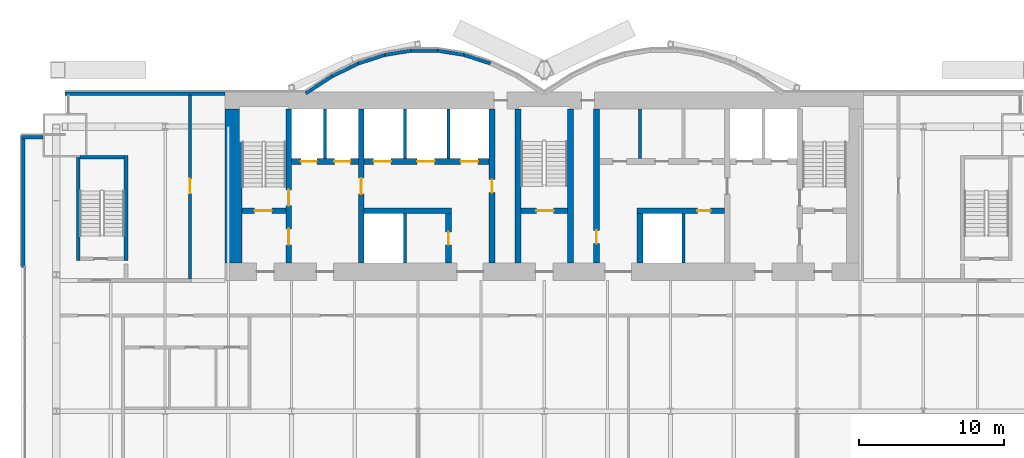
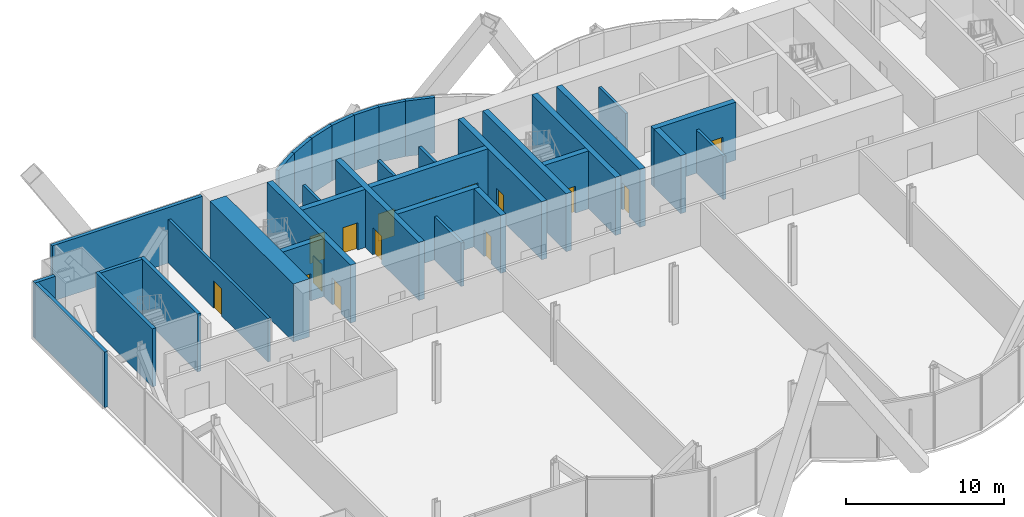
# One storey, part 16 of 21: 34 walls, 15 doors, 15 openings.
"""IFC4 building model written with IfcOpenShell, lengths in metres."""

from ifc_helpers import new_model, si_unit, direction, frame, frame_2d, origin, place, context, subcontext, project, spatial, rectangle, extrude, material, layer, layer_set, layer_usage, type_object, element, fill, save


model = new_model("IFC4")

# Units and contexts
model_context = context("Model", 3, precision=1e-05, world=origin(), true_north=direction((0.0, 1.0)))
body_context = subcontext(model_context, "Body", "Model", "MODEL_VIEW")
ifc_project = project(units=[si_unit("LENGTHUNIT", "METRE"), si_unit("AREAUNIT", "SQUARE_METRE"), si_unit("VOLUMEUNIT", "CUBIC_METRE"), si_unit("PLANEANGLEUNIT", "RADIAN"), si_unit("MASSUNIT", "GRAM", prefix="KILO")], contexts=[model_context])

# Site, building, storey
site_placement = place(None, origin())
site = spatial("IfcSite", under=ifc_project, at=site_placement, CompositionType="ELEMENT")
building_placement = place(site_placement, origin())
building = spatial("IfcBuilding", under=site, at=building_placement, Name="Bicima Exchange Tower", CompositionType="ELEMENT")
storey_placement = place(building_placement, frame((0.0, 0.0, 80.0)))
storey = spatial("IfcBuildingStorey", under=building, at=storey_placement, Name="L16", CompositionType="ELEMENT", Elevation=80.0)

# Walls
ifc_material_1 = material(Name="Gypsum board partition")
ifc_layer_1 = layer(ifc_material_1, 0.199951171875)
ifc_layer_set_1 = layer_set([ifc_layer_1], Name="Gypsum board partition")
wall_type_1 = type_object("IfcWallType", Name="Fire-rated gypsum partition 200 EI120", PredefinedType="PARTITIONING", material=ifc_layer_set_1)
for number, where, z_axis, x_axis, name in (
    (1, (-15.10009765625, -4.60009765625, 0.0), (0.0, 0.0, 1.0), (0.0, 1.0, 0.0), "partition wall 9"),
    (2, (-9.60009765625, -11.800048828125, 0.0), (0.0, 0.0, 1.0), (0.0, 1.0, 0.0), "partition wall 11"),
    (3, (-9.60009765625, -4.60009765625, 0.0), (0.0, 0.0, 1.0), (0.0, 1.0, 0.0), "partition wall 12"),
    (4, (-6.60009765625, -4.60009765625, 0.0), (0.0, 0.0, 1.0), (0.0, 1.0, 0.0), "partition wall 14"),
    (5, (9.60009765625, -11.800048828125, 0.0), (0.0, 0.0, 1.0), (0.0, 1.0, 0.0), "partition wall 21"),
):
    element("IfcWall", number, at=place(storey_placement, frame(where, z_axis=z_axis, x_axis=x_axis)), inside=storey, type_object=wall_type_1, Name=name, PredefinedType="PARTITIONING", context=body_context, shape_type="SweptSolid", body=[
        extrude(rectangle(XDim=3.400146484375, YDim=0.199951171875, at=frame_2d((1.7001953125, 0.0))), origin(), (0.0, 0.0, 1.0), 3.3681640625),
    ])

# Wall, opening, door
ifc_layer_2 = layer(ifc_material_1, 0.199951171875)
ifc_layer_set_2 = layer_set([ifc_layer_2], Name="Gypsum board partition")
wall_type_2 = type_object("IfcWallType", Name="Fire-rated gypsum partition 200 EI60", PredefinedType="PARTITIONING", material=ifc_layer_set_2)
wall_1_placement = place(storey_placement, frame((-24.39990234375, -12.89990234375, 0.0), z_axis=(0.0, 0.0, 1.0), x_axis=(0.0, 1.0, 0.0)))
wall_1 = element("IfcWall", 6, at=wall_1_placement, inside=storey, type_object=wall_type_2, Name="partition wall 16", PredefinedType="PARTITIONING", context=body_context, shape_type="SweptSolid", body=[
    extrude(rectangle(XDim=12.68994140625, YDim=0.199951171875, at=frame_2d((6.344970703125, 0.0))), origin(), (0.0, 0.0, 1.0), 3.3681640625),
])
opening_1_placement = place(wall_1_placement, frame((5.89990234375, 0.0, 0.0)))
opening_1 = element("IfcOpeningElement", 7, at=opening_1_placement, cuts=wall_1, Name="Opening L16-005", PredefinedType="OPENING", context=body_context, shape_type="SweptSolid", body=[
    extrude(rectangle(XDim=1.0, YDim=2.10009765625, at=frame_2d((0.5, 1.050048828125))), frame((0.0, 0.11181640625, 0.0), z_axis=(0.0, -1.0, 0.0), x_axis=(1.0, 0.0, 0.0)), (0.0, 0.0, 1.0), 0.223876953125),
])
ifc_material_2 = material(Name="Steel fire door leaf", Category="steel")
door_type_1 = type_object("IfcDoorType", Name="Door 1000 swing FD30S", OperationType="SINGLE_SWING_LEFT", PredefinedType="DOOR", material=ifc_material_2)
door_1_placement = place(opening_1_placement, origin())
door_1 = element("IfcDoor", 8, at=door_1_placement, inside=storey, type_object=door_type_1, Name="Door", OperationType="SINGLE_SWING_LEFT", OverallHeight=2.10009765625, OverallWidth=1.0, PredefinedType="DOOR", context=body_context, shape_type="SweptSolid", body=[
    extrude(rectangle(XDim=1.0, YDim=2.10009765625, at=frame_2d((0.5, 1.050048828125))), frame((0.0, 0.02490234375, 0.0), z_axis=(0.0, -1.0, 0.0), x_axis=(1.0, 0.0, 0.0)), (0.0, 0.0, 1.0), 0.050048828125),
])
fill(opening_1, door_1)

# Walls
wall_2_placement = place(storey_placement, frame((6.60009765625, -4.60009765625, 0.0), z_axis=(0.0, 0.0, 1.0), x_axis=(0.0, 1.0, 0.0)))
element("IfcWall", 9, at=wall_2_placement, inside=storey, type_object=wall_type_2, Name="partition wall 20", PredefinedType="PARTITIONING", context=body_context, shape_type="SweptSolid", body=[
    extrude(rectangle(XDim=3.400146484375, YDim=0.199951171875, at=frame_2d((1.7001953125, 0.0))), origin(), (0.0, 0.0, 1.0), 3.3681640625),
])
ifc_material_3 = material(Name="Concrete C60/75", Category="concrete")
ifc_layer_3 = layer(ifc_material_3, 1.199951171875)
ifc_layer_set_3 = layer_set([ifc_layer_3], Name="Concrete C60/75")
wall_type_3 = type_object("IfcWallType", Name="RC core wall 1200 C60/75", PredefinedType="SHEAR", material=ifc_layer_set_3)
wall_3_placement = place(storey_placement, frame((-21.39990234375, -11.800048828125, 0.0), z_axis=(0.0, 0.0, 1.0), x_axis=(0.0, 1.0, 0.0)))
element("IfcWall", 10, at=wall_3_placement, inside=storey, type_object=wall_type_3, Name="Core wall west", PredefinedType="SHEAR", context=body_context, shape_type="SweptSolid", body=[
    extrude(rectangle(XDim=10.60009765625, YDim=1.199951171875, at=frame_2d((5.300048828125, 0.0))), origin(), (0.0, 0.0, 1.0), 4.5),
])

# Wall, opening, door
ifc_material_4 = material(Name="Concrete C50/60", Category="concrete")
ifc_layer_4 = layer(ifc_material_4, 0.39990234375)
ifc_layer_set_4 = layer_set([ifc_layer_4], Name="Concrete C50/60")
wall_type_4 = type_object("IfcWallType", Name="RC core wall 400 C50/60", PredefinedType="SHEAR", material=ifc_layer_set_4)
wall_4_placement = place(storey_placement, frame((-20.800048828125, -8.199951171875, 0.0), z_axis=(0.0, 0.0, 1.0), x_axis=(1.0, 0.0, 0.0)))
wall_4 = element("IfcWall", 11, at=wall_4_placement, inside=storey, type_object=wall_type_4, Name="stair wall 1", PredefinedType="SHEAR", context=body_context, shape_type="SweptSolid", body=[
    extrude(rectangle(XDim=3.0, YDim=0.39990234375, at=frame_2d((1.5, 0.0))), origin(), (0.0, 0.0, 1.0), 4.5),
])
opening_2_placement = place(wall_4_placement, frame((0.85009765625, 0.0, 0.0)))
opening_2 = element("IfcOpeningElement", 12, at=opening_2_placement, cuts=wall_4, Name="Opening L16-C01", PredefinedType="OPENING", context=body_context, shape_type="SweptSolid", body=[
    extrude(rectangle(XDim=1.199951171875, YDim=2.10009765625, at=frame_2d((0.60009765625, 1.050048828125))), frame((0.0, 0.2119140625, 0.0), z_axis=(0.0, -1.0, 0.0), x_axis=(1.0, 0.0, 0.0)), (0.0, 0.0, 1.0), 0.423828125),
])
door_type_2 = type_object("IfcDoorType", Name="Door 1200 swing FD60S", OperationType="SINGLE_SWING_LEFT", PredefinedType="DOOR", material=ifc_material_2)
door_2_placement = place(opening_2_placement, origin())
door_2 = element("IfcDoor", 13, at=door_2_placement, inside=storey, type_object=door_type_2, Name="Core door", OperationType="SINGLE_SWING_LEFT", OverallHeight=2.10009765625, OverallWidth=1.199951171875, PredefinedType="DOOR", context=body_context, shape_type="SweptSolid", body=[
    extrude(rectangle(XDim=1.199951171875, YDim=2.10009765625, at=frame_2d((0.60009765625, 1.050048828125))), frame((0.0, 0.02490234375, 0.0), z_axis=(0.0, -1.0, 0.0), x_axis=(1.0, 0.0, 0.0)), (0.0, 0.0, 1.0), 0.050048828125),
])
fill(opening_2, door_2)

wall_5_placement = place(storey_placement, frame((-1.60009765625, -8.199951171875, 0.0), z_axis=(0.0, 0.0, 1.0), x_axis=(1.0, 0.0, 0.0)))
wall_5 = element("IfcWall", 14, at=wall_5_placement, inside=storey, type_object=wall_type_4, Name="stair wall 3", PredefinedType="SHEAR", context=body_context, shape_type="SweptSolid", body=[
    extrude(rectangle(XDim=3.2001953125, YDim=0.39990234375, at=frame_2d((1.60009765625, 0.0))), origin(), (0.0, 0.0, 1.0), 4.5),
])
opening_3_placement = place(wall_5_placement, frame((1.050048828125, 0.0, 0.0)))
opening_3 = element("IfcOpeningElement", 15, at=opening_3_placement, cuts=wall_5, Name="Opening L16-C03", PredefinedType="OPENING", context=body_context, shape_type="SweptSolid", body=[
    extrude(rectangle(XDim=1.199951171875, YDim=2.10009765625, at=frame_2d((0.60009765625, 1.050048828125))), frame((0.0, 0.2119140625, 0.0), z_axis=(0.0, -1.0, 0.0), x_axis=(1.0, 0.0, 0.0)), (0.0, 0.0, 1.0), 0.423828125),
])
door_3_placement = place(opening_3_placement, origin())
door_3 = element("IfcDoor", 16, at=door_3_placement, inside=storey, type_object=door_type_2, Name="Core door", OperationType="SINGLE_SWING_LEFT", OverallHeight=2.10009765625, OverallWidth=1.199951171875, PredefinedType="DOOR", context=body_context, shape_type="SweptSolid", body=[
    extrude(rectangle(XDim=1.199951171875, YDim=2.10009765625, at=frame_2d((0.60009765625, 1.050048828125))), frame((0.0, 0.02490234375, 0.0), z_axis=(0.0, -1.0, 0.0), x_axis=(1.0, 0.0, 0.0)), (0.0, 0.0, 1.0), 0.050048828125),
])
fill(opening_3, door_3)

# Wall, openings, doors
wall_6_placement = place(storey_placement, frame((-17.60009765625, -11.800048828125, 0.0), z_axis=(0.0, 0.0, 1.0), x_axis=(0.0, 1.0, 0.0)))
wall_6 = element("IfcWall", 17, at=wall_6_placement, inside=storey, type_object=wall_type_4, Name="stair wall 8", PredefinedType="SHEAR", context=body_context, shape_type="SweptSolid", body=[
    extrude(rectangle(XDim=10.60009765625, YDim=0.39990234375, at=frame_2d((5.300048828125, 0.0))), origin(), (0.0, 0.0, 1.0), 4.5),
])
opening_4_placement = place(wall_6_placement, frame((1.25, 0.0, 0.0)))
opening_4 = element("IfcOpeningElement", 18, at=opening_4_placement, cuts=wall_6, Name="Opening L16-C02", PredefinedType="OPENING", context=body_context, shape_type="SweptSolid", body=[
    extrude(rectangle(XDim=1.10009765625, YDim=2.10009765625, at=frame_2d((0.550048828125, 1.050048828125))), frame((0.0, 0.2119140625, 0.0), z_axis=(0.0, -1.0, 0.0), x_axis=(1.0, 0.0, 0.0)), (0.0, 0.0, 1.0), 0.423828125),
])
opening_5_placement = place(wall_6_placement, frame((3.949951171875, 0.0, 0.0)))
opening_5 = element("IfcOpeningElement", 19, at=opening_5_placement, cuts=wall_6, Name="Opening L16-C06", PredefinedType="OPENING", context=body_context, shape_type="SweptSolid", body=[
    extrude(rectangle(XDim=1.10009765625, YDim=2.10009765625, at=frame_2d((0.550048828125, 1.050048828125))), frame((0.0, 0.2119140625, 0.0), z_axis=(0.0, -1.0, 0.0), x_axis=(1.0, 0.0, 0.0)), (0.0, 0.0, 1.0), 0.423828125),
])
door_type_3 = type_object("IfcDoorType", Name="Door 1100 swing FD60S", OperationType="SINGLE_SWING_LEFT", PredefinedType="DOOR", material=ifc_material_2)
door_4_placement = place(opening_4_placement, frame((1.10009765625, 0.0, 0.0), z_axis=(0.0, 0.0, 1.0), x_axis=(-1.0, 0.0, 0.0)))
door_4 = element("IfcDoor", 20, at=door_4_placement, inside=storey, type_object=door_type_3, Name="Core door", OperationType="SINGLE_SWING_LEFT", OverallHeight=2.10009765625, OverallWidth=1.10009765625, PredefinedType="DOOR", context=body_context, shape_type="SweptSolid", body=[
    extrude(rectangle(XDim=1.10009765625, YDim=2.10009765625, at=frame_2d((0.550048828125, 1.050048828125))), frame((0.0, 0.02490234375, 0.0), z_axis=(0.0, -1.0, 0.0), x_axis=(1.0, 0.0, 0.0)), (0.0, 0.0, 1.0), 0.050048828125),
])
fill(opening_4, door_4)
door_5_placement = place(opening_5_placement, frame((1.10009765625, 0.0, 0.0), z_axis=(0.0, 0.0, 1.0), x_axis=(-1.0, 0.0, 0.0)))
door_5 = element("IfcDoor", 21, at=door_5_placement, inside=storey, type_object=door_type_3, Name="Core door", OperationType="SINGLE_SWING_LEFT", OverallHeight=2.10009765625, OverallWidth=1.10009765625, PredefinedType="DOOR", context=body_context, shape_type="SweptSolid", body=[
    extrude(rectangle(XDim=1.10009765625, YDim=2.10009765625, at=frame_2d((0.550048828125, 1.050048828125))), frame((0.0, 0.02490234375, 0.0), z_axis=(0.0, -1.0, 0.0), x_axis=(1.0, 0.0, 0.0)), (0.0, 0.0, 1.0), 0.050048828125),
])
fill(opening_5, door_5)

# Walls
for number, where, z_axis, x_axis, name in (
    (22, (-1.800048828125, -11.800048828125, 0.0), (0.0, 0.0, 1.0), (0.0, 1.0, 0.0), "stair wall 16"),
    (23, (1.800048828125, -11.800048828125, 0.0), (0.0, 0.0, 1.0), (0.0, 1.0, 0.0), "stair wall 17"),
):
    element("IfcWall", number, at=place(storey_placement, frame(where, z_axis=z_axis, x_axis=x_axis)), inside=storey, type_object=wall_type_4, Name=name, PredefinedType="SHEAR", context=body_context, shape_type="SweptSolid", body=[
        extrude(rectangle(XDim=10.60009765625, YDim=0.39990234375, at=frame_2d((5.300048828125, 0.0))), origin(), (0.0, 0.0, 1.0), 4.5),
    ])
ifc_layer_5 = layer(ifc_material_3, 0.39990234375)
ifc_layer_set_5 = layer_set([ifc_layer_5], Name="Concrete C60/75")
wall_type_5 = type_object("IfcWallType", Name="RC core wall 400 C60/75", PredefinedType="SHEAR", material=ifc_layer_set_5)
wall_7_placement = place(storey_placement, frame((-12.39990234375, -8.199951171875, 0.0), z_axis=(0.0, 0.0, 1.0), x_axis=(1.0, 0.0, 0.0)))
element("IfcWall", 24, at=wall_7_placement, inside=storey, type_object=wall_type_5, Name="shear wall 2", PredefinedType="SHEAR", context=body_context, shape_type="SweptSolid", body=[
    extrude(rectangle(XDim=6.0, YDim=0.39990234375, at=frame_2d((3.0, 0.0))), origin(), (0.0, 0.0, 1.0), 4.5),
])

# Wall, opening, door
wall_8_placement = place(storey_placement, frame((6.39990234375, -8.199951171875, 0.0), z_axis=(0.0, 0.0, 1.0), x_axis=(1.0, 0.0, 0.0)))
wall_8 = element("IfcWall", 25, at=wall_8_placement, inside=storey, type_object=wall_type_5, Name="shear wall 4", PredefinedType="SHEAR", context=body_context, shape_type="SweptSolid", body=[
    extrude(rectangle(XDim=6.0, YDim=0.39990234375, at=frame_2d((3.0, 0.0))), origin(), (0.0, 0.0, 1.0), 4.5),
])
opening_6_placement = place(wall_8_placement, frame((4.14990234375, 0.0, 0.0)))
opening_6 = element("IfcOpeningElement", 26, at=opening_6_placement, cuts=wall_8, Name="Opening L16-C16", PredefinedType="OPENING", context=body_context, shape_type="SweptSolid", body=[
    extrude(rectangle(XDim=0.89990234375, YDim=2.10009765625, at=frame_2d((0.449951171875, 1.050048828125))), frame((0.0, 0.2119140625, 0.0), z_axis=(0.0, -1.0, 0.0), x_axis=(1.0, 0.0, 0.0)), (0.0, 0.0, 1.0), 0.423828125),
])
door_type_4 = type_object("IfcDoorType", Name="Door 900 swing FD30S", OperationType="SINGLE_SWING_LEFT", PredefinedType="DOOR", material=ifc_material_2)
door_6_placement = place(opening_6_placement, frame((0.89990234375, 0.0, 0.0), z_axis=(0.0, 0.0, 1.0), x_axis=(-1.0, 0.0, 0.0)))
door_6 = element("IfcDoor", 27, at=door_6_placement, inside=storey, type_object=door_type_4, Name="Core door", OperationType="SINGLE_SWING_LEFT", OverallHeight=2.10009765625, OverallWidth=0.89990234375, PredefinedType="DOOR", context=body_context, shape_type="SweptSolid", body=[
    extrude(rectangle(XDim=0.89990234375, YDim=2.10009765625, at=frame_2d((0.449951171875, 1.050048828125))), frame((0.0, 0.02490234375, 0.0), z_axis=(0.0, -1.0, 0.0), x_axis=(1.0, 0.0, 0.0)), (0.0, 0.0, 1.0), 0.050048828125),
])
fill(opening_6, door_6)

# Wall, openings, doors
wall_9_placement = place(storey_placement, frame((-17.39990234375, -4.800048828125, 0.0), z_axis=(0.0, 0.0, 1.0), x_axis=(1.0, 0.0, 0.0)))
wall_9 = element("IfcWall", 28, at=wall_9_placement, inside=storey, type_object=wall_type_5, Name="shear wall 6", PredefinedType="SHEAR", context=body_context, shape_type="SweptSolid", body=[
    extrude(rectangle(XDim=13.599853515625, YDim=0.39990234375, at=frame_2d((6.7998046875, 0.0))), origin(), (0.0, 0.0, 1.0), 4.5),
])
opening_7_placement = place(wall_9_placement, frame((0.64990234375, 0.0, 0.0)))
opening_7 = element("IfcOpeningElement", 29, at=opening_7_placement, cuts=wall_9, Name="Opening LD-FF1-L16", PredefinedType="OPENING", context=body_context, shape_type="SweptSolid", body=[
    extrude(rectangle(XDim=1.10009765625, YDim=2.10009765625, at=frame_2d((0.550048828125, 1.050048828125))), frame((0.0, 0.2119140625, 0.0), z_axis=(0.0, -1.0, 0.0), x_axis=(1.0, 0.0, 0.0)), (0.0, 0.0, 1.0), 0.423828125),
])
opening_8_placement = place(wall_9_placement, frame((2.949951171875, 0.0, 0.0)))
opening_8 = element("IfcOpeningElement", 30, at=opening_8_placement, cuts=wall_9, Name="Opening LD-FF3-L16", PredefinedType="OPENING", context=body_context, shape_type="SweptSolid", body=[
    extrude(rectangle(XDim=1.10009765625, YDim=2.10009765625, at=frame_2d((0.550048828125, 1.050048828125))), frame((0.0, 0.2119140625, 0.0), z_axis=(0.0, -1.0, 0.0), x_axis=(1.0, 0.0, 0.0)), (0.0, 0.0, 1.0), 0.423828125),
])
opening_9_placement = place(wall_9_placement, frame((5.64990234375, 0.0, 0.0)))
opening_9 = element("IfcOpeningElement", 31, at=opening_9_placement, cuts=wall_9, Name="Opening LD-LB1-L16", PredefinedType="OPENING", context=body_context, shape_type="SweptSolid", body=[
    extrude(rectangle(XDim=1.199951171875, YDim=2.10009765625, at=frame_2d((0.60009765625, 1.050048828125))), frame((0.0, 0.2119140625, 0.0), z_axis=(0.0, -1.0, 0.0), x_axis=(1.0, 0.0, 0.0)), (0.0, 0.0, 1.0), 0.423828125),
])
opening_10_placement = place(wall_9_placement, frame((8.64990234375, 0.0, 0.0)))
opening_10 = element("IfcOpeningElement", 32, at=opening_10_placement, cuts=wall_9, Name="Opening LD-LB2-L16", PredefinedType="OPENING", context=body_context, shape_type="SweptSolid", body=[
    extrude(rectangle(XDim=1.199951171875, YDim=2.10009765625, at=frame_2d((0.60009765625, 1.050048828125))), frame((0.0, 0.2119140625, 0.0), z_axis=(0.0, -1.0, 0.0), x_axis=(1.0, 0.0, 0.0)), (0.0, 0.0, 1.0), 0.423828125),
])
opening_11_placement = place(wall_9_placement, frame((11.64990234375, 0.0, 0.0)))
opening_11 = element("IfcOpeningElement", 33, at=opening_11_placement, cuts=wall_9, Name="Opening LD-LB3-L16", PredefinedType="OPENING", context=body_context, shape_type="SweptSolid", body=[
    extrude(rectangle(XDim=1.199951171875, YDim=2.10009765625, at=frame_2d((0.60009765625, 1.050048828125))), frame((0.0, 0.2119140625, 0.0), z_axis=(0.0, -1.0, 0.0), x_axis=(1.0, 0.0, 0.0)), (0.0, 0.0, 1.0), 0.423828125),
])
ifc_material_5 = material(Name="Stainless steel", Category="steel")
door_type_5 = type_object("IfcDoorType", Name="Lift landing door 1100 sliding", OperationType="DOUBLE_DOOR_SLIDING", PredefinedType="DOOR", material=ifc_material_5)
door_7_placement = place(opening_7_placement, origin())
door_7 = element("IfcDoor", 34, at=door_7_placement, inside=storey, type_object=door_type_5, Name="Lift landing door FF1", OperationType="DOUBLE_DOOR_SLIDING", OverallHeight=2.10009765625, OverallWidth=1.10009765625, PredefinedType="DOOR", context=body_context, shape_type="SweptSolid", body=[
    extrude(rectangle(XDim=1.10009765625, YDim=2.10009765625, at=frame_2d((0.550048828125, 1.050048828125))), frame((0.0, 0.02490234375, 0.0), z_axis=(0.0, -1.0, 0.0), x_axis=(1.0, 0.0, 0.0)), (0.0, 0.0, 1.0), 0.050048828125),
])
fill(opening_7, door_7)
door_8_placement = place(opening_8_placement, origin())
door_8 = element("IfcDoor", 35, at=door_8_placement, inside=storey, type_object=door_type_5, Name="Lift landing door FF3", OperationType="DOUBLE_DOOR_SLIDING", OverallHeight=2.10009765625, OverallWidth=1.10009765625, PredefinedType="DOOR", context=body_context, shape_type="SweptSolid", body=[
    extrude(rectangle(XDim=1.10009765625, YDim=2.10009765625, at=frame_2d((0.550048828125, 1.050048828125))), frame((0.0, 0.02490234375, 0.0), z_axis=(0.0, -1.0, 0.0), x_axis=(1.0, 0.0, 0.0)), (0.0, 0.0, 1.0), 0.050048828125),
])
fill(opening_8, door_8)
door_type_6 = type_object("IfcDoorType", Name="Lift landing door 1200 sliding", OperationType="DOUBLE_DOOR_SLIDING", PredefinedType="DOOR", material=ifc_material_5)
door_9_placement = place(opening_9_placement, origin())
door_9 = element("IfcDoor", 36, at=door_9_placement, inside=storey, type_object=door_type_6, Name="Lift landing door LB1", OperationType="DOUBLE_DOOR_SLIDING", OverallHeight=2.10009765625, OverallWidth=1.199951171875, PredefinedType="DOOR", context=body_context, shape_type="SweptSolid", body=[
    extrude(rectangle(XDim=1.199951171875, YDim=2.10009765625, at=frame_2d((0.60009765625, 1.050048828125))), frame((0.0, 0.02490234375, 0.0), z_axis=(0.0, -1.0, 0.0), x_axis=(1.0, 0.0, 0.0)), (0.0, 0.0, 1.0), 0.050048828125),
])
fill(opening_9, door_9)
door_10_placement = place(opening_10_placement, origin())
door_10 = element("IfcDoor", 37, at=door_10_placement, inside=storey, type_object=door_type_6, Name="Lift landing door LB2", OperationType="DOUBLE_DOOR_SLIDING", OverallHeight=2.10009765625, OverallWidth=1.199951171875, PredefinedType="DOOR", context=body_context, shape_type="SweptSolid", body=[
    extrude(rectangle(XDim=1.199951171875, YDim=2.10009765625, at=frame_2d((0.60009765625, 1.050048828125))), frame((0.0, 0.02490234375, 0.0), z_axis=(0.0, -1.0, 0.0), x_axis=(1.0, 0.0, 0.0)), (0.0, 0.0, 1.0), 0.050048828125),
])
fill(opening_10, door_10)
door_11_placement = place(opening_11_placement, origin())
door_11 = element("IfcDoor", 38, at=door_11_placement, inside=storey, type_object=door_type_6, Name="Lift landing door LB3", OperationType="DOUBLE_DOOR_SLIDING", OverallHeight=2.10009765625, OverallWidth=1.199951171875, PredefinedType="DOOR", context=body_context, shape_type="SweptSolid", body=[
    extrude(rectangle(XDim=1.199951171875, YDim=2.10009765625, at=frame_2d((0.60009765625, 1.050048828125))), frame((0.0, 0.02490234375, 0.0), z_axis=(0.0, -1.0, 0.0), x_axis=(1.0, 0.0, 0.0)), (0.0, 0.0, 1.0), 0.050048828125),
])
fill(opening_11, door_11)

# Wall, opening, door
wall_10_placement = place(storey_placement, frame((-12.60009765625, -11.800048828125, 0.0), z_axis=(0.0, 0.0, 1.0), x_axis=(0.0, 1.0, 0.0)))
wall_10 = element("IfcWall", 39, at=wall_10_placement, inside=storey, type_object=wall_type_5, Name="shear wall 10", PredefinedType="SHEAR", context=body_context, shape_type="SweptSolid", body=[
    extrude(rectangle(XDim=10.60009765625, YDim=0.39990234375, at=frame_2d((5.300048828125, 0.0))), origin(), (0.0, 0.0, 1.0), 4.5),
])
opening_12_placement = place(wall_10_placement, frame((4.75, 0.0, 0.0)))
opening_12 = element("IfcOpeningElement", 40, at=opening_12_placement, cuts=wall_10, Name="Opening L16-C07", PredefinedType="OPENING", context=body_context, shape_type="SweptSolid", body=[
    extrude(rectangle(XDim=1.10009765625, YDim=2.10009765625, at=frame_2d((0.550048828125, 1.050048828125))), frame((0.0, 0.2119140625, 0.0), z_axis=(0.0, -1.0, 0.0), x_axis=(1.0, 0.0, 0.0)), (0.0, 0.0, 1.0), 0.423828125),
])
door_12_placement = place(opening_12_placement, origin())
door_12 = element("IfcDoor", 41, at=door_12_placement, inside=storey, type_object=door_type_3, Name="Core door", OperationType="SINGLE_SWING_LEFT", OverallHeight=2.10009765625, OverallWidth=1.10009765625, PredefinedType="DOOR", context=body_context, shape_type="SweptSolid", body=[
    extrude(rectangle(XDim=1.10009765625, YDim=2.10009765625, at=frame_2d((0.550048828125, 1.050048828125))), frame((0.0, 0.02490234375, 0.0), z_axis=(0.0, -1.0, 0.0), x_axis=(1.0, 0.0, 0.0)), (0.0, 0.0, 1.0), 0.050048828125),
])
fill(opening_12, door_12)

wall_11_placement = place(storey_placement, frame((-6.60009765625, -11.800048828125, 0.0), z_axis=(0.0, 0.0, 1.0), x_axis=(0.0, 1.0, 0.0)))
wall_11 = element("IfcWall", 42, at=wall_11_placement, inside=storey, type_object=wall_type_5, Name="shear wall 13", PredefinedType="SHEAR", context=body_context, shape_type="SweptSolid", body=[
    extrude(rectangle(XDim=3.400146484375, YDim=0.39990234375, at=frame_2d((1.7001953125, 0.0))), origin(), (0.0, 0.0, 1.0), 4.5),
])
opening_13_placement = place(wall_11_placement, frame((1.25, 0.0, 0.0)))
opening_13 = element("IfcOpeningElement", 43, at=opening_13_placement, cuts=wall_11, Name="Opening L16-C15", PredefinedType="OPENING", context=body_context, shape_type="SweptSolid", body=[
    extrude(rectangle(XDim=0.89990234375, YDim=2.10009765625, at=frame_2d((0.449951171875, 1.050048828125))), frame((0.0, 0.2119140625, 0.0), z_axis=(0.0, -1.0, 0.0), x_axis=(1.0, 0.0, 0.0)), (0.0, 0.0, 1.0), 0.423828125),
])
door_13_placement = place(opening_13_placement, origin())
door_13 = element("IfcDoor", 44, at=door_13_placement, inside=storey, type_object=door_type_4, Name="Core door", OperationType="SINGLE_SWING_LEFT", OverallHeight=2.10009765625, OverallWidth=0.89990234375, PredefinedType="DOOR", context=body_context, shape_type="SweptSolid", body=[
    extrude(rectangle(XDim=0.89990234375, YDim=2.10009765625, at=frame_2d((0.449951171875, 1.050048828125))), frame((0.0, 0.02490234375, 0.0), z_axis=(0.0, -1.0, 0.0), x_axis=(1.0, 0.0, 0.0)), (0.0, 0.0, 1.0), 0.050048828125),
])
fill(opening_13, door_13)

wall_12_placement = place(storey_placement, frame((-3.60009765625, -11.800048828125, 0.0), z_axis=(0.0, 0.0, 1.0), x_axis=(0.0, 1.0, 0.0)))
wall_12 = element("IfcWall", 45, at=wall_12_placement, inside=storey, type_object=wall_type_5, Name="shear wall 15", PredefinedType="SHEAR", context=body_context, shape_type="SweptSolid", body=[
    extrude(rectangle(XDim=10.60009765625, YDim=0.39990234375, at=frame_2d((5.300048828125, 0.0))), origin(), (0.0, 0.0, 1.0), 4.5),
])
opening_14_placement = place(wall_12_placement, frame((4.85009765625, 0.0, 0.0)))
opening_14 = element("IfcOpeningElement", 46, at=opening_14_placement, cuts=wall_12, Name="Opening L16-C10", PredefinedType="OPENING", context=body_context, shape_type="SweptSolid", body=[
    extrude(rectangle(XDim=0.89990234375, YDim=2.10009765625, at=frame_2d((0.449951171875, 1.050048828125))), frame((0.0, 0.2119140625, 0.0), z_axis=(0.0, -1.0, 0.0), x_axis=(1.0, 0.0, 0.0)), (0.0, 0.0, 1.0), 0.423828125),
])
door_14_placement = place(opening_14_placement, frame((0.89990234375, 0.0, 0.0), z_axis=(0.0, 0.0, 1.0), x_axis=(-1.0, 0.0, 0.0)))
door_14 = element("IfcDoor", 47, at=door_14_placement, inside=storey, type_object=door_type_4, Name="Core door", OperationType="SINGLE_SWING_LEFT", OverallHeight=2.10009765625, OverallWidth=0.89990234375, PredefinedType="DOOR", context=body_context, shape_type="SweptSolid", body=[
    extrude(rectangle(XDim=0.89990234375, YDim=2.10009765625, at=frame_2d((0.449951171875, 1.050048828125))), frame((0.0, 0.02490234375, 0.0), z_axis=(0.0, -1.0, 0.0), x_axis=(1.0, 0.0, 0.0)), (0.0, 0.0, 1.0), 0.050048828125),
])
fill(opening_14, door_14)

wall_13_placement = place(storey_placement, frame((3.60009765625, -11.800048828125, 0.0), z_axis=(0.0, 0.0, 1.0), x_axis=(0.0, 1.0, 0.0)))
wall_13 = element("IfcWall", 48, at=wall_13_placement, inside=storey, type_object=wall_type_5, Name="shear wall 18", PredefinedType="SHEAR", context=body_context, shape_type="SweptSolid", body=[
    extrude(rectangle(XDim=10.60009765625, YDim=0.39990234375, at=frame_2d((5.300048828125, 0.0))), origin(), (0.0, 0.0, 1.0), 4.5),
])
opening_15_placement = place(wall_13_placement, frame((1.35009765625, 0.0, 0.0)))
opening_15 = element("IfcOpeningElement", 49, at=opening_15_placement, cuts=wall_13, Name="Opening L16-C11", PredefinedType="OPENING", context=body_context, shape_type="SweptSolid", body=[
    extrude(rectangle(XDim=0.89990234375, YDim=2.10009765625, at=frame_2d((0.449951171875, 1.050048828125))), frame((0.0, 0.2119140625, 0.0), z_axis=(0.0, -1.0, 0.0), x_axis=(1.0, 0.0, 0.0)), (0.0, 0.0, 1.0), 0.423828125),
])
door_15_placement = place(opening_15_placement, origin())
door_15 = element("IfcDoor", 50, at=door_15_placement, inside=storey, type_object=door_type_4, Name="Core door", OperationType="SINGLE_SWING_LEFT", OverallHeight=2.10009765625, OverallWidth=0.89990234375, PredefinedType="DOOR", context=body_context, shape_type="SweptSolid", body=[
    extrude(rectangle(XDim=0.89990234375, YDim=2.10009765625, at=frame_2d((0.449951171875, 1.050048828125))), frame((0.0, 0.02490234375, 0.0), z_axis=(0.0, -1.0, 0.0), x_axis=(1.0, 0.0, 0.0)), (0.0, 0.0, 1.0), 0.050048828125),
])
fill(opening_15, door_15)

# Walls
wall_14_placement = place(storey_placement, frame((6.60009765625, -11.800048828125, 0.0), z_axis=(0.0, 0.0, 1.0), x_axis=(0.0, 1.0, 0.0)))
element("IfcWall", 51, at=wall_14_placement, inside=storey, type_object=wall_type_5, Name="shear wall 19", PredefinedType="SHEAR", context=body_context, shape_type="SweptSolid", body=[
    extrude(rectangle(XDim=3.400146484375, YDim=0.39990234375, at=frame_2d((1.7001953125, 0.0))), origin(), (0.0, 0.0, 1.0), 4.5),
])
ifc_layer_6 = layer(ifc_material_4, 0.25)
ifc_layer_set_6 = layer_set([ifc_layer_6], Name="Concrete C50/60")
wall_type_6 = type_object("IfcWallType", Name="RC stair enclosure wall 250 C50/60", PredefinedType="SHEAR", material=ifc_layer_set_6)
for number, where, z_axis, x_axis, name in (
    (52, (-32.10009765625, -11.625, 0.0), (0.0, 0.0, 1.0), (0.0, 1.0, 0.0), "West end exit stair wall W"),
    (53, (-28.800048828125, -11.625, 0.0), (0.0, 0.0, 1.0), (0.0, 1.0, 0.0), "West end exit stair wall E"),
):
    element("IfcWall", number, at=place(storey_placement, frame(where, z_axis=z_axis, x_axis=x_axis)), inside=storey, type_object=wall_type_6, Name=name, PredefinedType="SHEAR", context=body_context, shape_type="SweptSolid", body=[
        extrude(rectangle(XDim=7.25, YDim=0.25, at=frame_2d((3.625, 0.0))), origin(), (0.0, 0.0, 1.0), 4.5),
    ])
wall_15_placement = place(storey_placement, frame((-31.97509765625, -4.5, 0.0), z_axis=(0.0, 0.0, 1.0), x_axis=(1.0, 0.0, 0.0)))
element("IfcWall", 54, at=wall_15_placement, inside=storey, type_object=wall_type_6, Name="West end exit stair wall N", PredefinedType="SHEAR", context=body_context, shape_type="SweptSolid", body=[
    extrude(rectangle(XDim=3.050048828125, YDim=0.25, at=frame_2d((1.52490234375, 0.0))), origin(), (0.0, 0.0, 1.0), 4.5),
])
ifc_material_6 = material(Name="Concrete C40/50", Category="concrete")
ifc_layer_7 = layer(ifc_material_6, 0.25)
ifc_layer_set_7 = layer_set([ifc_layer_7], Name="Concrete C40/50")
ifc_layer_usage = layer_usage(ifc_layer_set_7, "AXIS2", "POSITIVE", -0.125)
wall_type_7 = type_object("IfcWallType", Name="Rear backup wall 250", PredefinedType="STANDARD", material=ifc_layer_set_7)
wall_16_placement = place(storey_placement, frame((-3.705078125, 1.955078125, 0.0), z_axis=(0.0, 0.0, 1.0), x_axis=(-0.951495806175, 0.307661714928, 0.0)))
element("IfcWall", 55, at=wall_16_placement, inside=storey, type_object=wall_type_7, material=ifc_layer_usage, Name="Rear backup wall L16 13", PredefinedType="STANDARD", context=body_context, shape_type="SweptSolid", body=[
    extrude(rectangle(XDim=1.9267578125, YDim=0.25, at=frame_2d((0.96337890625, 0.0))), origin(), (0.0, 0.0, 1.0), 4.300048828125),
])
wall_17_placement = place(storey_placement, frame((-5.52001953125, 2.543212890625, 0.0), z_axis=(0.0, 0.0, 1.0), x_axis=(-0.987181718931, 0.159600293885, 0.0)))
element("IfcWall", 56, at=wall_17_placement, inside=storey, type_object=wall_type_7, material=ifc_layer_usage, Name="Rear backup wall L16 14", PredefinedType="STANDARD", context=body_context, shape_type="SweptSolid", body=[
    extrude(rectangle(XDim=1.857177734375, YDim=0.25, at=frame_2d((0.9287109375, 0.0))), origin(), (0.0, 0.0, 1.0), 4.300048828125),
])
wall_18_placement = place(storey_placement, frame((-7.333251953125, 2.837890625, 0.0), z_axis=(0.0, 0.0, 1.0), x_axis=(-1.0, 0.0, 0.0)))
element("IfcWall", 57, at=wall_18_placement, inside=storey, type_object=wall_type_7, material=ifc_layer_usage, Name="Rear backup wall L16 15", PredefinedType="STANDARD", context=body_context, shape_type="SweptSolid", body=[
    extrude(rectangle(XDim=1.83349609375, YDim=0.25, at=frame_2d((0.916748046875, 0.0))), origin(), (0.0, 0.0, 1.0), 4.300048828125),
])
wall_19_placement = place(storey_placement, frame((-9.146728515625, 2.839599609375, 0.0), z_axis=(0.0, 0.0, 1.0), x_axis=(-0.987181718931, -0.159600293885, 0.0)))
element("IfcWall", 58, at=wall_19_placement, inside=storey, type_object=wall_type_7, material=ifc_layer_usage, Name="Rear backup wall L16 16", PredefinedType="STANDARD", context=body_context, shape_type="SweptSolid", body=[
    extrude(rectangle(XDim=1.857177734375, YDim=0.25, at=frame_2d((0.9287109375, 0.0))), origin(), (0.0, 0.0, 1.0), 4.300048828125),
])
wall_20_placement = place(storey_placement, frame((-10.961669921875, 2.5478515625, 0.0), z_axis=(0.0, 0.0, 1.0), x_axis=(-0.951495806175, -0.307661714928, 0.0)))
element("IfcWall", 59, at=wall_20_placement, inside=storey, type_object=wall_type_7, material=ifc_layer_usage, Name="Rear backup wall L16 17", PredefinedType="STANDARD", context=body_context, shape_type="SweptSolid", body=[
    extrude(rectangle(XDim=1.9267578125, YDim=0.25, at=frame_2d((0.96337890625, 0.0))), origin(), (0.0, 0.0, 1.0), 4.300048828125),
])
wall_21_placement = place(storey_placement, frame((-12.77880859375, 1.961669921875, 0.0), z_axis=(0.0, 0.0, 1.0), x_axis=(-0.89982408427, -0.436252928206, 0.0)))
element("IfcWall", 60, at=wall_21_placement, inside=storey, type_object=wall_type_7, material=ifc_layer_usage, Name="Rear backup wall L16 18", PredefinedType="STANDARD", context=body_context, shape_type="SweptSolid", body=[
    extrude(rectangle(XDim=2.03759765625, YDim=0.25, at=frame_2d((1.018798828125, 0.0))), origin(), (0.0, 0.0, 1.0), 4.300048828125),
])
wall_22_placement = place(storey_placement, frame((-14.598876953125, 1.080078125, 0.0), z_axis=(0.0, 0.0, 1.0), x_axis=(-0.83981312244, -0.542875602121, 0.0)))
element("IfcWall", 61, at=wall_22_placement, inside=storey, type_object=wall_type_7, material=ifc_layer_usage, Name="Rear backup wall L16 19", PredefinedType="STANDARD", context=body_context, shape_type="SweptSolid", body=[
    extrude(rectangle(XDim=2.182861328125, YDim=0.25, at=frame_2d((1.09130859375, 0.0))), origin(), (0.0, 0.0, 1.0), 4.300048828125),
])
wall_23_placement = place(storey_placement, frame((-22.0, -0.125, 0.0), z_axis=(0.0, 0.0, 1.0), x_axis=(-1.0, 0.0, 0.0)))
element("IfcWall", 62, at=wall_23_placement, inside=storey, type_object=wall_type_7, material=ifc_layer_usage, Name="Rear backup wall L16 20", PredefinedType="STANDARD", context=body_context, shape_type="SweptSolid", body=[
    extrude(rectangle(XDim=11.0, YDim=0.25, at=frame_2d((5.5, 0.0))), origin(), (0.0, 0.0, 1.0), 4.300048828125),
])
wall_24_placement = place(storey_placement, frame((-34.5, -3.125, 0.0), z_axis=(0.0, 0.0, 1.0), x_axis=(-1.0, 0.0, 0.0)))
element("IfcWall", 63, at=wall_24_placement, inside=storey, type_object=wall_type_7, material=ifc_layer_usage, Name="Rear backup wall L16 22", PredefinedType="STANDARD", context=body_context, shape_type="SweptSolid", body=[
    extrude(rectangle(XDim=1.5, YDim=0.25, at=frame_2d((0.75, 0.0))), origin(), (0.0, 0.0, 1.0), 4.300048828125),
])
wall_25_placement = place(storey_placement, frame((-35.875, -3.0, 0.0), z_axis=(0.0, 0.0, 1.0), x_axis=(0.0, -1.0, 0.0)))
element("IfcWall", 64, at=wall_25_placement, inside=storey, type_object=wall_type_7, material=ifc_layer_usage, Name="Rear backup wall L16 23", PredefinedType="STANDARD", context=body_context, shape_type="SweptSolid", body=[
    extrude(rectangle(XDim=9.090087890625, YDim=0.25, at=frame_2d((4.544921875, 0.0))), origin(), (0.0, 0.0, 1.0), 4.300048828125),
])

save(model, "model.ifc")
